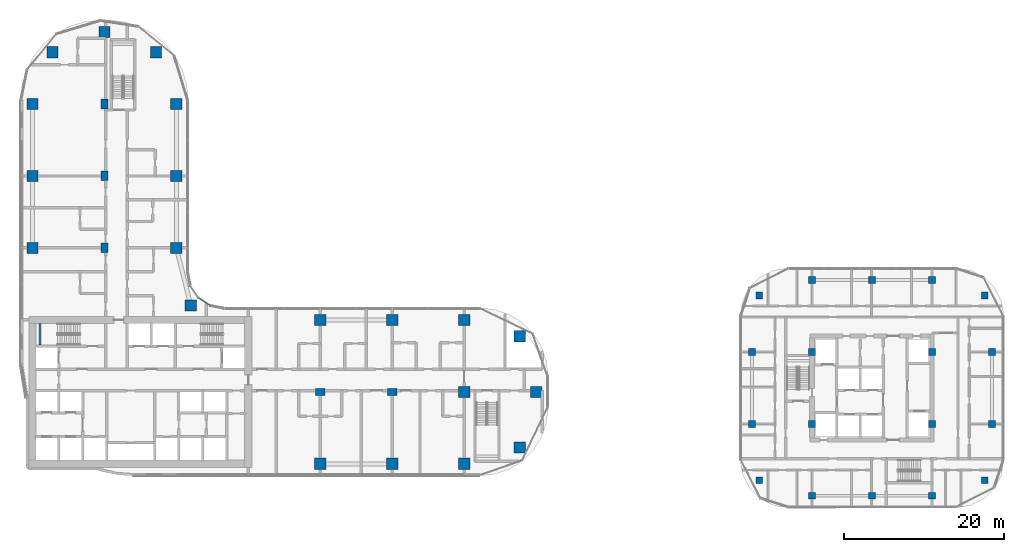
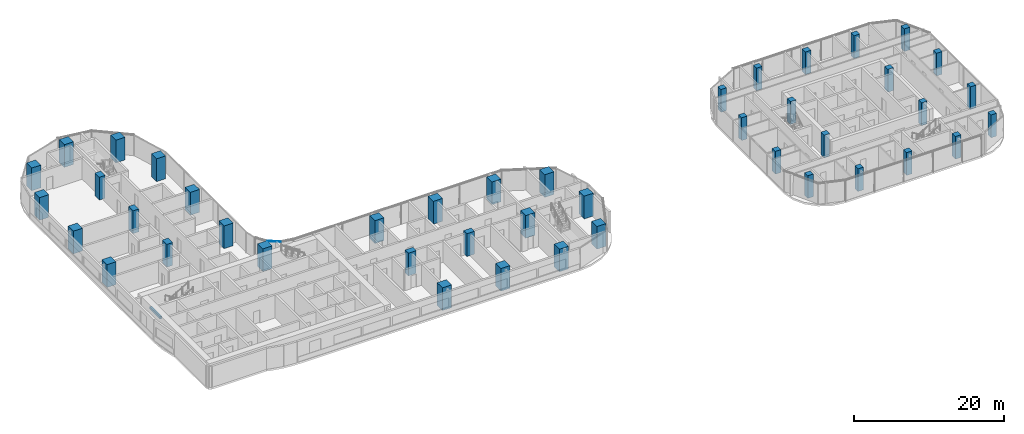
# One storey, part 1 of 33: 43 columns, 1 beam, 1 member, 1 element without a shape of its own.
"""IFC4 building model written with IfcOpenShell, lengths in metres."""

from ifc_helpers import new_model, si_unit, direction, frame, origin, origin_2d, place, context, subcontext, project, spatial, rectangle, extrude, material, material_profile, profile_set, type_object, element, aggregate, save


model = new_model("IFC4")

# Units and contexts
model_context = context("Model", 3, precision=1e-05, world=origin(), true_north=direction((0.0, 1.0)))
body_context = subcontext(model_context, "Body", "Model", "MODEL_VIEW")
ifc_project = project(units=[si_unit("LENGTHUNIT", "METRE"), si_unit("AREAUNIT", "SQUARE_METRE"), si_unit("VOLUMEUNIT", "CUBIC_METRE"), si_unit("PLANEANGLEUNIT", "RADIAN"), si_unit("MASSUNIT", "GRAM", prefix="KILO")], contexts=[model_context])

# Site, building, storey
site_placement = place(None, origin())
site = spatial("IfcSite", under=ifc_project, at=site_placement, CompositionType="ELEMENT")
building_placement = place(site_placement, origin())
building = spatial("IfcBuilding", under=site, at=building_placement, Name="Ogive Portal Towers", CompositionType="ELEMENT")
storey_placement = place(building_placement, frame((0.0, 0.0, 77.89990234375)))
storey = spatial("IfcBuildingStorey", under=building, at=storey_placement, Name="L18", CompositionType="ELEMENT", Elevation=77.89990234375)

# Columns
ifc_material_1 = material(Name="Concrete C60/75", Category="concrete")
ifc_material_profile_1 = material_profile(ifc_material_1, rectangle(XDim=1.199951171875, YDim=0.89990234375, at=origin_2d()), Name="RC 1200x900")
ifc_profile_set_1 = profile_set([ifc_material_profile_1], Name="Concrete C60/75")
column_type_1 = type_object("IfcColumnType", Name="COLUMN RC 1200x900", PredefinedType="COLUMN", material=ifc_profile_set_1)
for number, where, z_axis, x_axis, name in (
    (1, (67.5, 30.5, 0.0), (0.0, 0.0, 1.0), (1.0, 0.0, 0.0), "Column 5/B L18"),
    (2, (76.5, 30.5, 0.0), (0.0, 0.0, 1.0), (1.0, 0.0, 0.0), "Column 6/B L18"),
    (3, (40.5, 48.5, 0.0), (0.0, 0.0, 1.0), (0.0, 1.0, 0.0), "Column 2/D L18"),
    (4, (40.5, 57.5, 0.0), (0.0, 0.0, 1.0), (0.0, 1.0, 0.0), "Column 2/E L18"),
    (5, (40.5, 66.5, 0.0), (0.0, 0.0, 1.0), (0.0, 1.0, 0.0), "Column 2/F L18"),
):
    element("IfcColumn", number, at=place(storey_placement, frame(where, z_axis=z_axis, x_axis=x_axis)), inside=storey, type_object=column_type_1, Name=name, PredefinedType="COLUMN", context=body_context, shape_type="SweptSolid", body=[
        extrude(rectangle(XDim=1.199951171875, YDim=0.89990234375, at=origin_2d()), origin(), (0.0, 0.0, 1.0), 3.7001953125),
    ])
ifc_material_profile_2 = material_profile(ifc_material_1, rectangle(XDim=1.39990234375, YDim=1.39990234375, at=origin_2d()), Name="RC 1400x1400")
ifc_profile_set_2 = profile_set([ifc_material_profile_2], Name="Concrete C60/75")
column_type_2 = type_object("IfcColumnType", Name="COLUMN RC 1400x1400", PredefinedType="COLUMN", material=ifc_profile_set_2)
for number, where, z_axis, x_axis, name in (
    (6, (67.5, 21.5, 0.0), (0.0, 0.0, 1.0), (1.0, 0.0, 0.0), "Column 5/A L18"),
    (7, (76.5, 21.5, 0.0), (0.0, 0.0, 1.0), (1.0, 0.0, 0.0), "Column 6/A L18"),
    (8, (85.5, 21.5, 0.0), (0.0, 0.0, 1.0), (1.0, 0.0, 0.0), "Column 7/A L18"),
    (9, (92.449951171875, 23.550048828125, 0.0), (0.0, 0.0, 1.0), (1.0, 0.0, 0.0), "Column L18"),
    (10, (85.5, 30.5, 0.0), (0.0, 0.0, 1.0), (1.0, 0.0, 0.0), "Column 7/B L18"),
    (11, (94.5, 30.5, 0.0), (0.0, 0.0, 1.0), (1.0, 0.0, 0.0), "Column 8/B L18"),
    (12, (92.449951171875, 37.449951171875, 0.0), (0.0, 0.0, 1.0), (1.0, 0.0, 0.0), "Column L18"),
    (13, (67.5, 39.5, 0.0), (0.0, 0.0, 1.0), (1.0, 0.0, 0.0), "Column 5/C L18"),
    (14, (76.5, 39.5, 0.0), (0.0, 0.0, 1.0), (1.0, 0.0, 0.0), "Column 6/C L18"),
    (15, (85.5, 39.5, 0.0), (0.0, 0.0, 1.0), (1.0, 0.0, 0.0), "Column 7/C L18"),
    (16, (51.31005859375, 41.31005859375, 0.0), (0.0, 0.0, 1.0), (1.0, 0.0, 0.0), "Column L18"),
    (17, (31.5, 48.5, 0.0), (0.0, 0.0, 1.0), (1.0, 0.0, 0.0), "Column 1/D L18"),
    (18, (49.5, 48.5, 0.0), (0.0, 0.0, 1.0), (1.0, 0.0, 0.0), "Column 3/D L18"),
    (19, (31.5, 57.5, 0.0), (0.0, 0.0, 1.0), (1.0, 0.0, 0.0), "Column 1/E L18"),
    (20, (49.5, 57.5, 0.0), (0.0, 0.0, 1.0), (1.0, 0.0, 0.0), "Column 3/E L18"),
    (21, (31.5, 66.5, 0.0), (0.0, 0.0, 1.0), (1.0, 0.0, 0.0), "Column 1/F L18"),
    (22, (49.5, 66.5, 0.0), (0.0, 0.0, 1.0), (1.0, 0.0, 0.0), "Column 3/F L18"),
    (23, (34.027099609375, 72.972900390625, 0.0), (0.0, 0.0, 1.0), (1.0, 0.0, 0.0), "Column L18"),
    (24, (46.972900390625, 72.972900390625, 0.0), (0.0, 0.0, 1.0), (1.0, 0.0, 0.0), "Column L18"),
    (25, (40.5, 75.5, 0.0), (0.0, 0.0, 1.0), (1.0, 0.0, 0.0), "Column 2/G L18"),
):
    element("IfcColumn", number, at=place(storey_placement, frame(where, z_axis=z_axis, x_axis=x_axis)), inside=storey, type_object=column_type_2, Name=name, PredefinedType="COLUMN", context=body_context, shape_type="SweptSolid", body=[
        extrude(rectangle(XDim=1.39990234375, YDim=1.39990234375, at=origin_2d()), origin(), (0.0, 0.0, 1.0), 3.7001953125),
    ])
ifc_material_2 = material(Name="Concrete C50/60", Category="concrete")
ifc_material_profile_3 = material_profile(ifc_material_2, rectangle(XDim=0.85009765625, YDim=0.85009765625, at=origin_2d()), Name="RC 850x850")
ifc_profile_set_3 = profile_set([ifc_material_profile_3], Name="Concrete C50/60")
column_type_3 = type_object("IfcColumnType", Name="COLUMN RC 850x850", PredefinedType="COLUMN", material=ifc_profile_set_3)
for number, where, z_axis, x_axis, name in (
    (26, (129.0, 17.5, 0.0), (0.0, 0.0, 1.0), (1.0, 0.0, 0.0), "Column 12/H L18"),
    (27, (136.5, 17.5, 0.0), (0.0, 0.0, 1.0), (1.0, 0.0, 0.0), "Column 13/H L18"),
    (28, (144.0, 17.5, 0.0), (0.0, 0.0, 1.0), (1.0, 0.0, 0.0), "Column 14/H L18"),
    (29, (122.40087890625, 19.44189453125, 0.0), (0.0, 0.0, 1.0), (1.0, 0.0, 0.0), "Column L18"),
    (30, (150.59912109375, 19.44189453125, 0.0), (0.0, 0.0, 1.0), (1.0, 0.0, 0.0), "Column L18"),
    (31, (121.5, 26.5, 0.0), (0.0, 0.0, 1.0), (1.0, 0.0, 0.0), "Column 11/J L18"),
    (32, (129.0, 26.5, 0.0), (0.0, 0.0, 1.0), (1.0, 0.0, 0.0), "Column 12/J L18"),
    (33, (144.0, 26.5, 0.0), (0.0, 0.0, 1.0), (1.0, 0.0, 0.0), "Column 14/J L18"),
    (34, (151.5, 26.5, 0.0), (0.0, 0.0, 1.0), (1.0, 0.0, 0.0), "Column 15/J L18"),
    (35, (121.5, 35.5, 0.0), (0.0, 0.0, 1.0), (1.0, 0.0, 0.0), "Column 11/K L18"),
    (36, (129.0, 35.5, 0.0), (0.0, 0.0, 1.0), (1.0, 0.0, 0.0), "Column 12/K L18"),
    (37, (144.0, 35.5, 0.0), (0.0, 0.0, 1.0), (1.0, 0.0, 0.0), "Column 14/K L18"),
    (38, (151.5, 35.5, 0.0), (0.0, 0.0, 1.0), (1.0, 0.0, 0.0), "Column 15/K L18"),
    (39, (122.40087890625, 42.55810546875, 0.0), (0.0, 0.0, 1.0), (1.0, 0.0, 0.0), "Column L18"),
    (40, (150.59912109375, 42.55810546875, 0.0), (0.0, 0.0, 1.0), (1.0, 0.0, 0.0), "Column L18"),
    (41, (129.0, 44.5, 0.0), (0.0, 0.0, 1.0), (1.0, 0.0, 0.0), "Column 12/L L18"),
    (42, (136.5, 44.5, 0.0), (0.0, 0.0, 1.0), (1.0, 0.0, 0.0), "Column 13/L L18"),
    (43, (144.0, 44.5, 0.0), (0.0, 0.0, 1.0), (1.0, 0.0, 0.0), "Column 14/L L18"),
):
    element("IfcColumn", number, at=place(storey_placement, frame(where, z_axis=z_axis, x_axis=x_axis)), inside=storey, type_object=column_type_3, Name=name, PredefinedType="COLUMN", context=body_context, shape_type="SweptSolid", body=[
        extrude(rectangle(XDim=0.85009765625, YDim=0.85009765625, at=origin_2d()), origin(), (0.0, 0.0, 1.0), 3.7001953125),
    ])

# Beam
ifc_material_3 = material(Name="Concrete C40/50", Category="concrete")
ifc_material_profile_4 = material_profile(ifc_material_3, rectangle(XDim=0.300048828125, YDim=0.39990234375, at=origin_2d()), Name="RC 300x400")
ifc_profile_set_4 = profile_set([ifc_material_profile_4], Name="Concrete C40/50")
beam_type = type_object("IfcBeamType", Name="BEAM RC 300x400", PredefinedType="BEAM", material=ifc_profile_set_4)
beam_placement = place(storey_placement, frame((32.449951171875, 36.35009765625, 1.4501953125), z_axis=(0.0, 1.0, 0.0), x_axis=(-1.0, 0.0, 0.0)))
element("IfcBeam", 44, at=beam_placement, inside=storey, type_object=beam_type, Name="Landing beam L18", PredefinedType="BEAM", context=body_context, shape_type="SweptSolid", body=[
    extrude(rectangle(XDim=0.300048828125, YDim=0.39990234375, at=origin_2d()), origin(), (0.0, 0.0, 1.0), 2.699951171875),
])

# Curtain wall, member
ifc_material_4 = material(Name="Glass, clear low-iron insulated glazing", Category="glass")
curtain_wall_type = type_object("IfcCurtainWallType", Name="CW FRONT RIBBON 4500", PredefinedType="NOTDEFINED", material=ifc_material_4)
curtain_wall_placement = place(storey_placement, origin())
curtain_wall = element("IfcCurtainWall", 45, at=curtain_wall_placement, inside=storey, type_object=curtain_wall_type, Name="A:L18:f13:cwa", PredefinedType="NOTDEFINED")
ifc_material_5 = material(Name="Aluminium 6063 anodised", Category="aluminium")
ifc_material_profile_5 = material_profile(ifc_material_5, rectangle(XDim=0.1201171875, YDim=0.06005859375, at=origin_2d()), Name="AL 120x60")
ifc_profile_set_5 = profile_set([ifc_material_profile_5], Name="Aluminium 6063 anodised")
member_type = type_object("IfcMemberType", Name="CW TRANSOM 60x120", PredefinedType="USERDEFINED", material=ifc_profile_set_5)
member_placement = place(storey_placement, frame((53.746826171875, 41.26708984375, 3.3701171875), z_axis=(-0.831503657605, 0.555519277244, 0.0), x_axis=(-0.555519277244, -0.831503657605, 0.0)))
member = element("IfcMember", 46, at=member_placement, type_object=member_type, Name="transom", ObjectType="TRANSOM", PredefinedType="USERDEFINED", context=body_context, shape_type="SweptSolid", body=[
    extrude(rectangle(XDim=0.1201171875, YDim=0.06005859375, at=origin_2d()), origin(), (0.0, 0.0, 1.0), 1.787841796875),
])
aggregate(curtain_wall, [member])

save(model, "model.ifc")
